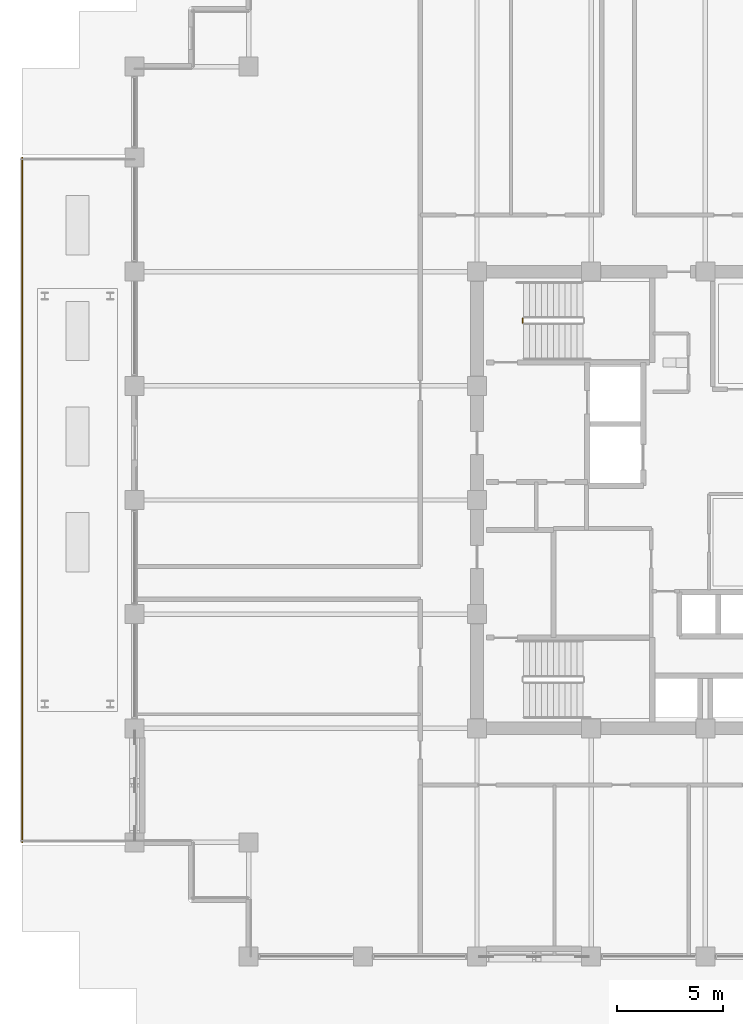
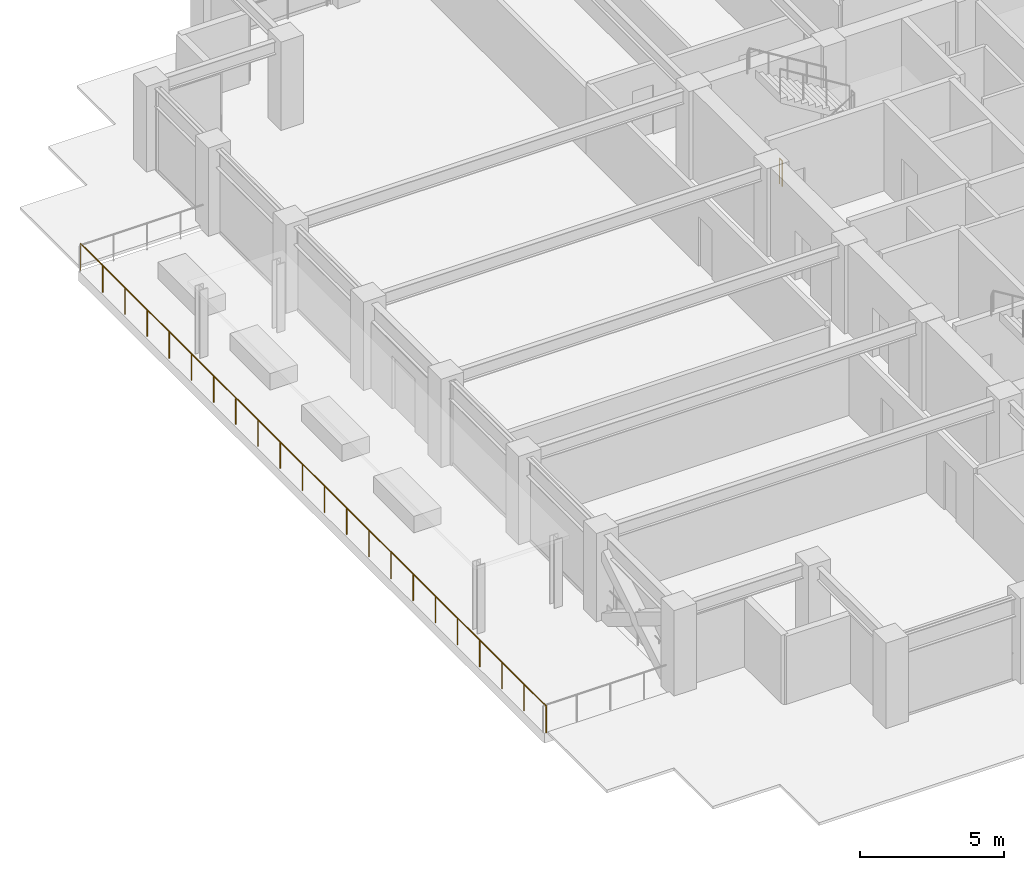
# One storey, part 31 of 36: 2 railings.
"""IFC4 building model written with IfcOpenShell, lengths in metres."""

from ifc_helpers import new_model, si_unit, direction, frame, origin, origin_2d, place, context, subcontext, project, spatial, circle, extrude, material, type_object, element, save


model = new_model("IFC4")

# Units and contexts
model_context = context("Model", 3, precision=1e-05, world=origin(), true_north=direction((0.0, 1.0)))
body_context = subcontext(model_context, "Body", "Model", "MODEL_VIEW")
ifc_project = project(units=[si_unit("LENGTHUNIT", "METRE"), si_unit("AREAUNIT", "SQUARE_METRE"), si_unit("VOLUMEUNIT", "CUBIC_METRE"), si_unit("PLANEANGLEUNIT", "RADIAN"), si_unit("MASSUNIT", "GRAM", prefix="KILO")], contexts=[model_context])

# Site, building, storey
site_placement = place(None, origin())
site = spatial("IfcSite", under=ifc_project, at=site_placement, CompositionType="ELEMENT")
building_placement = place(site_placement, origin())
building = spatial("IfcBuilding", under=site, at=building_placement, Name="Surkhivell Harbour Commons", CompositionType="ELEMENT")
storey_placement = place(building_placement, frame((0.0, 0.0, 171.0)))
storey = spatial("IfcBuildingStorey", under=building, at=storey_placement, Name="L44", CompositionType="ELEMENT", Elevation=171.0)

# Railings
ifc_material_1 = material(Name="Laminated safety glass and stainless steel S355 balustrade", Category="steel")
railing_type_1 = type_object("IfcRailingType", Name="RAL-BAL-1150", PredefinedType="BALUSTRADE", material=ifc_material_1)
railing_1_placement = place(storey_placement, frame((-32.320068359375, 16.199951171875, 0.0)))
element("IfcRailing", 1, at=railing_1_placement, inside=storey, type_object=railing_type_1, Name="L44 Sky-Garden Terrace Balustrade 4", PredefinedType="BALUSTRADE", context=body_context, shape_type="SweptSolid", body=[
    extrude(circle(Radius=0.02392578125, at=origin_2d()), frame((0.0, 0.0, 1.1259765625), z_axis=(0.0, -1.0, 0.0), x_axis=(1.0, 0.0, 0.0)), (0.0, 0.0, 1.0), 32.39990234375),
    extrude(circle(Radius=0.02099609375, at=origin_2d()), origin(), (0.0, 0.0, 1.0), 1.101806640625),
    extrude(circle(Radius=0.02099609375, at=origin_2d()), frame((0.0, -1.54296875, 0.0)), (0.0, 0.0, 1.0), 1.101806640625),
    extrude(circle(Radius=0.02099609375, at=origin_2d()), frame((0.0, -3.085693359375, 0.0)), (0.0, 0.0, 1.0), 1.101806640625),
    extrude(circle(Radius=0.02099609375, at=origin_2d()), frame((0.0, -4.628662109375, 0.0)), (0.0, 0.0, 1.0), 1.101806640625),
    extrude(circle(Radius=0.02099609375, at=origin_2d()), frame((0.0, -6.17138671875, 0.0)), (0.0, 0.0, 1.0), 1.101806640625),
    extrude(circle(Radius=0.02099609375, at=origin_2d()), frame((0.0, -7.71435546875, 0.0)), (0.0, 0.0, 1.0), 1.101806640625),
    extrude(circle(Radius=0.02099609375, at=origin_2d()), frame((0.0, -9.257080078125, 0.0)), (0.0, 0.0, 1.0), 1.101806640625),
    extrude(circle(Radius=0.02099609375, at=origin_2d()), frame((0.0, -10.800048828125, 0.0)), (0.0, 0.0, 1.0), 1.101806640625),
    extrude(circle(Radius=0.02099609375, at=origin_2d()), frame((0.0, -12.3427734375, 0.0)), (0.0, 0.0, 1.0), 1.101806640625),
    extrude(circle(Radius=0.02099609375, at=origin_2d()), frame((0.0, -13.8857421875, 0.0)), (0.0, 0.0, 1.0), 1.101806640625),
    extrude(circle(Radius=0.02099609375, at=origin_2d()), frame((0.0, -15.428466796875, 0.0)), (0.0, 0.0, 1.0), 1.101806640625),
    extrude(circle(Radius=0.02099609375, at=origin_2d()), frame((0.0, -16.971435546875, 0.0)), (0.0, 0.0, 1.0), 1.101806640625),
    extrude(circle(Radius=0.02099609375, at=origin_2d()), frame((0.0, -18.51416015625, 0.0)), (0.0, 0.0, 1.0), 1.101806640625),
    extrude(circle(Radius=0.02099609375, at=origin_2d()), frame((0.0, -20.05712890625, 0.0)), (0.0, 0.0, 1.0), 1.101806640625),
    extrude(circle(Radius=0.02099609375, at=origin_2d()), frame((0.0, -21.599853515625, 0.0)), (0.0, 0.0, 1.0), 1.101806640625),
    extrude(circle(Radius=0.02099609375, at=origin_2d()), frame((0.0, -23.142822265625, 0.0)), (0.0, 0.0, 1.0), 1.101806640625),
    extrude(circle(Radius=0.02099609375, at=origin_2d()), frame((0.0, -24.685546875, 0.0)), (0.0, 0.0, 1.0), 1.101806640625),
    extrude(circle(Radius=0.02099609375, at=origin_2d()), frame((0.0, -26.228515625, 0.0)), (0.0, 0.0, 1.0), 1.101806640625),
    extrude(circle(Radius=0.02099609375, at=origin_2d()), frame((0.0, -27.771240234375, 0.0)), (0.0, 0.0, 1.0), 1.101806640625),
    extrude(circle(Radius=0.02099609375, at=origin_2d()), frame((0.0, -29.314208984375, 0.0)), (0.0, 0.0, 1.0), 1.101806640625),
    extrude(circle(Radius=0.02099609375, at=origin_2d()), frame((0.0, -30.85693359375, 0.0)), (0.0, 0.0, 1.0), 1.101806640625),
    extrude(circle(Radius=0.02099609375, at=origin_2d()), frame((0.0, -32.39990234375, 0.0)), (0.0, 0.0, 1.0), 1.101806640625),
])
ifc_material_2 = material(Name="Galvanised and painted steel S355 guard rail", Category="steel")
railing_type_2 = type_object("IfcRailingType", Name="RAL-ST-GRD1100", PredefinedType="GUARDRAIL", material=ifc_material_2)
railing_2_placement = place(storey_placement, frame((-8.639892578125, 8.389892578125, 0.0)))
element("IfcRailing", 2, at=railing_2_placement, inside=storey, type_object=railing_type_2, Name="L44 ST1 stair guard 4", PredefinedType="GUARDRAIL", context=body_context, shape_type="SweptSolid", body=[
    extrude(circle(Radius=0.02392578125, at=origin_2d()), frame((0.0, 0.0, 1.076171875), z_axis=(0.0, 1.0, 0.0), x_axis=(-1.0, 0.0, 0.0)), (0.0, 0.0, 1.0), 0.2001953125),
    extrude(circle(Radius=0.02099609375, at=origin_2d()), origin(), (0.0, 0.0, 1.0), 1.052001953125),
    extrude(circle(Radius=0.02099609375, at=origin_2d()), frame((0.0, 0.2001953125, 0.0)), (0.0, 0.0, 1.0), 1.052001953125),
])

save(model, "model.ifc")
